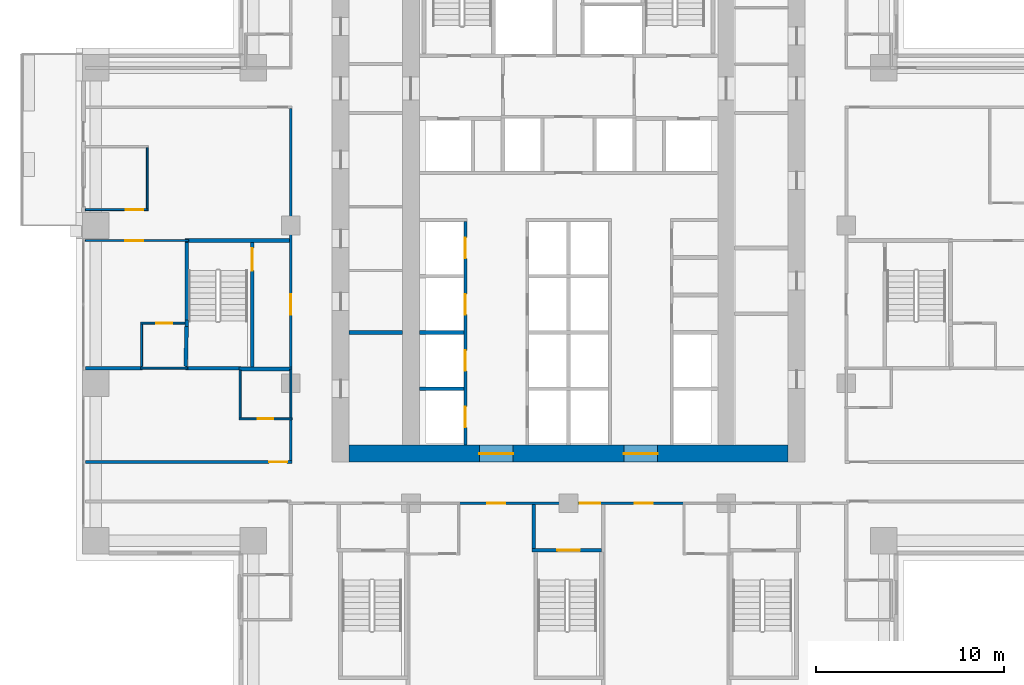
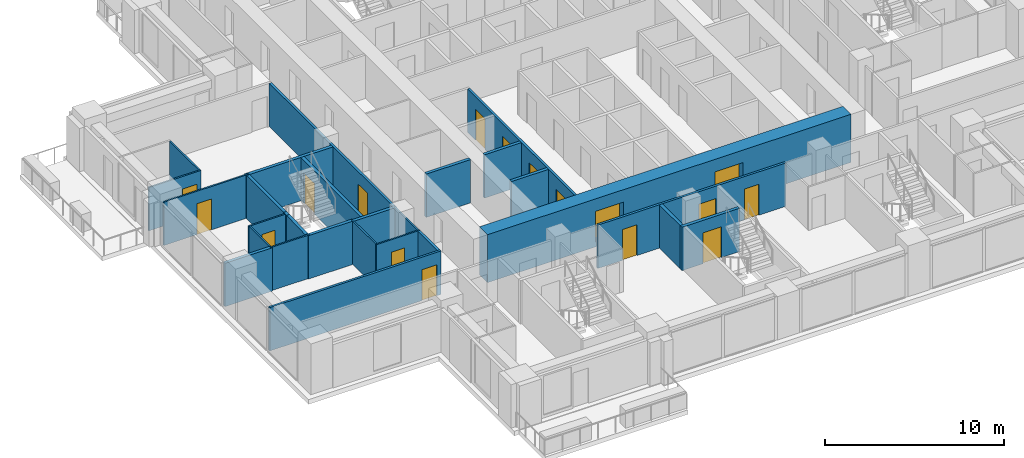
# One storey, part 7 of 16: 28 walls, 17 doors, 17 openings.
"""IFC4 building model written with IfcOpenShell, lengths in metres."""

import ifcopenshell
import ifcopenshell.guid

model = None  # the IFC model being written
_history = None  # IfcOwnerHistory: only IFC2X3 demands one
_inside = {}  # id of a spatial element -> (the spatial element, [elements in it])
_under = {}  # id of a project, library or spatial element -> (it, [spatial elements below it])
_declared = {}  # id of a project -> (the project, [libraries it declares])
_typed = {}  # id of a type object -> (the type object, [elements of that type])
_made_of = {}  # id of a material, layer set ... -> (it, [elements and type objects made of it])


def new_model(schema):
    """Start an empty IFC model of exactly this schema.

    Asked for "IFC4X3", IfcOpenShell would pick the latest addendum, in which some entities
    have other attributes; the version numbers below select the first issue.
    IFC2X3 requires an IfcOwnerHistory on every rooted entity: one is made here for all.
    """
    global model, _history
    if schema == "IFC4X3":
        model = ifcopenshell.file(schema_version=(4, 3, 0, 0))
    else:
        model = ifcopenshell.file(schema=schema)
    _inside.clear()
    _under.clear()
    _declared.clear()
    _typed.clear()
    _made_of.clear()
    _history = None
    if model.schema == "IFC2X3":
        org = make("IfcOrganization", Name="unknown")
        user = make(
            "IfcPersonAndOrganization",
            ThePerson=make("IfcPerson", FamilyName="unknown"),
            TheOrganization=org,
        )
        app = make(
            "IfcApplication",
            ApplicationDeveloper=org,
            Version="unknown",
            ApplicationFullName="unknown",
            ApplicationIdentifier="unknown",
        )
        _history = make(
            "IfcOwnerHistory",
            OwningUser=user,
            OwningApplication=app,
            ChangeAction="ADDED",
            CreationDate=0,
        )
    return model


def make(cls, **values):
    """One entity of the class cls with the attributes given. An attribute that is None is left unset."""
    return model.create_entity(
        cls, **{name: value for name, value in values.items() if value is not None}
    )


def rooted(cls, **values):
    """An entity with a GlobalId (a new one), such as an element, a storey or a relation."""
    return make(cls, GlobalId=ifcopenshell.guid.new(), OwnerHistory=_history, **values)


def si_unit(unit_type, name, prefix=None):
    """IfcSIUnit, for example si_unit("LENGTHUNIT", "METRE", prefix="MILLI")."""
    return make("IfcSIUnit", UnitType=unit_type, Prefix=prefix, Name=name)


def assignment(units):
    """IfcUnitAssignment: the units of a project."""
    return None if units is None else make("IfcUnitAssignment", Units=units)


def point(xyz):
    """IfcCartesianPoint."""
    return None if xyz is None else make("IfcCartesianPoint", Coordinates=xyz)


def direction(xyz):
    """IfcDirection."""
    return None if xyz is None else make("IfcDirection", DirectionRatios=xyz)


def frame(location, z_axis=None, x_axis=None):
    """IfcAxis2Placement3D, a coordinate frame: its origin and axes. An axis left out is left unset."""
    return make(
        "IfcAxis2Placement3D",
        Location=point(location),
        Axis=direction(z_axis),
        RefDirection=direction(x_axis),
    )


def frame_2d(location, x_axis=None):
    """IfcAxis2Placement2D, a coordinate frame in the plane: its origin and x axis."""
    return make(
        "IfcAxis2Placement2D", Location=point(location), RefDirection=direction(x_axis)
    )


def origin():
    """The frame at (0, 0, 0) with its axes left unset."""
    return frame((0.0, 0.0, 0.0))


def place(relative_to, where):
    """IfcLocalPlacement: puts the frame where relative to a parent placement (None: the world)."""
    return make(
        "IfcLocalPlacement", PlacementRelTo=relative_to, RelativePlacement=where
    )


def context(
    kind, dimensions, precision=None, world=None, true_north=None, identifier=None
):
    """IfcGeometricRepresentationContext, for example the 3D "Model" context."""
    return make(
        "IfcGeometricRepresentationContext",
        ContextIdentifier=identifier,
        ContextType=kind,
        CoordinateSpaceDimension=dimensions,
        Precision=precision,
        WorldCoordinateSystem=world,
        TrueNorth=true_north,
    )


def subcontext(parent, identifier, kind, view, scale=None):
    """IfcGeometricRepresentationSubContext, for example "Body" below "Model"."""
    return make(
        "IfcGeometricRepresentationSubContext",
        ContextIdentifier=identifier,
        ContextType=kind,
        ParentContext=parent,
        TargetScale=scale,
        TargetView=view,
    )


def project(units=None, contexts=None):
    """IfcProject with its units and contexts."""
    return rooted(
        "IfcProject",
        Name="project",
        RepresentationContexts=contexts,
        UnitsInContext=assignment(units),
    )


def spatial(cls, under=None, at=None, **own):
    """A site, building, storey or space (cls), placed at a placement, below another one or the project."""
    s = rooted(cls, ObjectPlacement=at, **own)
    if under is not None:
        _under.setdefault(under.id(), (under, []))[1].append(s)
    return s


def profile(cls, at=None, kind="AREA", **sizes):
    """A parametric profile (cls). Its sizes go by their IFC names, for example OverallWidth=200.0."""
    return make(cls, ProfileType=kind, Position=at, **sizes)


def rectangle(**sizes):
    """IfcRectangleProfileDef."""
    return profile("IfcRectangleProfileDef", **sizes)


def extrude(swept, where, along, depth):
    """IfcExtrudedAreaSolid: the profile swept, set in the frame where, extruded along a direction by depth."""
    return make(
        "IfcExtrudedAreaSolid",
        SweptArea=swept,
        Position=where,
        ExtrudedDirection=direction(along),
        Depth=depth,
    )


def shape(context_of_items, identifier, shape_type, items):
    """IfcShapeRepresentation: the items that make up one representation, for example the "Body"."""
    return make(
        "IfcShapeRepresentation",
        ContextOfItems=context_of_items,
        RepresentationIdentifier=identifier,
        RepresentationType=shape_type,
        Items=items,
    )


def material(Name=None, Category=None):
    """IfcMaterial."""
    return make("IfcMaterial", Name=Name, Category=Category)


def layer(
    of_material, thickness, ventilated=None, Name=None, Category=None, Priority=None
):
    """IfcMaterialLayer: one layer of a wall or slab, of a material (None: an air gap)."""
    return make(
        "IfcMaterialLayer",
        Material=of_material,
        LayerThickness=thickness,
        IsVentilated=ventilated,
        Name=Name,
        Category=Category,
        Priority=Priority,
    )


def layer_set(layers, Name=None):
    """IfcMaterialLayerSet."""
    return make("IfcMaterialLayerSet", MaterialLayers=layers, LayerSetName=Name)


def made_of(thing, what):
    """Note that an element or type object is made of a material, layer set ...; save() writes the relation."""
    if what is not None:
        _made_of.setdefault(what.id(), (what, []))[1].append(thing)
    return thing


def type_object(cls, material=None, **own):
    """A type object (cls), such as IfcWallType, which elements share."""
    return made_of(rooted(cls, **own), material)


def element(
    cls,
    number,
    at=None,
    inside=None,
    cuts=None,
    type_object=None,
    material=None,
    context=None,
    identifier="Body",
    shape_type=None,
    held_by="IfcProductDefinitionShape",
    body=None,
    shapes=None,
    **own,
):
    """One element of the class cls, such as IfcWall. Its Tag is "e" and its number.

    at: its placement. inside: the storey or other place that contains it. cuts: it is an
    opening in that element (IfcRelVoidsElement). A single representation is given by context,
    identifier, shape_type and body (its items); several are given by shapes. held_by: the class
    of the entity that holds the representations. save() writes the other relations.
    """
    e = rooted(cls, Tag="e%d" % number, ObjectPlacement=at, **own)
    if body is not None:
        shapes = [shape(context, identifier, shape_type, body)]
    if shapes is not None:
        e.Representation = make(held_by, Representations=shapes)
    if inside is not None:
        _inside.setdefault(inside.id(), (inside, []))[1].append(e)
    if cuts is not None:
        rooted(
            "IfcRelVoidsElement", RelatingBuildingElement=cuts, RelatedOpeningElement=e
        )
    if type_object is not None:
        _typed.setdefault(type_object.id(), (type_object, []))[1].append(e)
    return made_of(e, material)


def fill(opening, filler):
    """IfcRelFillsElement: the door or window that sits in an opening."""
    return rooted(
        "IfcRelFillsElement",
        RelatingOpeningElement=opening,
        RelatedBuildingElement=filler,
    )


def aggregate(whole, parts):
    """IfcRelAggregates: a whole, such as a stair, and the parts it consists of."""
    return rooted("IfcRelAggregates", RelatingObject=whole, RelatedObjects=parts)


def save(model, path):
    """Write the relations noted so far, then the file.

    IfcRelAggregates (storeys below a building ...), IfcRelContainedInSpatialStructure (elements
    in a storey), IfcRelDefinesByType, IfcRelAssociatesMaterial and IfcRelDeclares: one each for
    every whole, place, type object, material and project.
    """
    for whole, parts in _under.values():
        aggregate(whole, parts)
    for where, things in _inside.values():
        rooted(
            "IfcRelContainedInSpatialStructure",
            RelatedElements=things,
            RelatingStructure=where,
        )
    for kind, things in _typed.values():
        rooted("IfcRelDefinesByType", RelatedObjects=things, RelatingType=kind)
    for what, things in _made_of.values():
        rooted("IfcRelAssociatesMaterial", RelatedObjects=things, RelatingMaterial=what)
    for by, libraries in _declared.values():
        rooted("IfcRelDeclares", RelatingContext=by, RelatedDefinitions=libraries)
    model.write(path)


model = new_model("IFC4")

# Units and contexts
model_context = context("Model", 3, precision=1e-05, world=origin(), true_north=direction((0.0, 1.0)))
body_context = subcontext(model_context, "Body", "Model", "MODEL_VIEW")
ifc_project = project(units=[si_unit("LENGTHUNIT", "METRE"), si_unit("AREAUNIT", "SQUARE_METRE"), si_unit("VOLUMEUNIT", "CUBIC_METRE"), si_unit("PLANEANGLEUNIT", "RADIAN"), si_unit("MASSUNIT", "GRAM", prefix="KILO")], contexts=[model_context])

# Site, building, storey
site_placement = place(None, origin())
site = spatial("IfcSite", under=ifc_project, at=site_placement, CompositionType="ELEMENT")
building_placement = place(site_placement, origin())
building = spatial("IfcBuilding", under=site, at=building_placement, Name="Vermilion Ogive Tower", CompositionType="ELEMENT")
storey_placement = place(building_placement, frame((0.0, 0.0, 72.449951171875)))
storey = spatial("IfcBuildingStorey", under=building, at=storey_placement, Name="L17", CompositionType="ELEMENT", Elevation=72.449951171875)

# Wall, openings, doors
ifc_material_1 = material(Name="Concrete B80", Category="concrete")
ifc_layer_1 = layer(ifc_material_1, 0.89990234375)
ifc_layer_set_1 = layer_set([ifc_layer_1], Name="Core wall 900 B80")
wall_type_1 = type_object("IfcWallType", Name="Core wall 900 B80", PredefinedType="SHEAR", material=ifc_layer_set_1)
wall_1_placement = place(storey_placement, frame((-11.699951171875, -7.949951171875, -0.320068359375), z_axis=(0.0, 0.0, 1.0), x_axis=(1.0, 0.0, 0.0)))
wall_1 = element("IfcWall", 1, at=wall_1_placement, inside=storey, type_object=wall_type_1, Name="L17-CORE-S", PredefinedType="SHEAR", context=body_context, shape_type="SweptSolid", body=[
    extrude(rectangle(XDim=23.39990234375, YDim=0.89990234375, at=frame_2d((11.699951171875, 0.0))), origin(), (0.0, 0.0, 1.0), 3.27001953125),
])
opening_1_placement = place(wall_1_placement, frame((6.949951171875, 0.0, 0.320068359375)))
opening_1 = element("IfcOpeningElement", 2, at=opening_1_placement, cuts=wall_1, Name="Opening DAH011", PredefinedType="OPENING", context=body_context, shape_type="SweptSolid", body=[
    extrude(rectangle(XDim=1.800048828125, YDim=2.10009765625, at=frame_2d((0.89990234375, 1.050048828125))), frame((0.0, 0.4599609375, 0.0), z_axis=(0.0, -1.0, 0.0), x_axis=(1.0, 0.0, 0.0)), (0.0, 0.0, 1.0), 0.919921875),
])
opening_2_placement = place(wall_1_placement, frame((14.64990234375, 0.0, 0.320068359375)))
opening_2 = element("IfcOpeningElement", 3, at=opening_2_placement, cuts=wall_1, Name="Opening DAH012", PredefinedType="OPENING", context=body_context, shape_type="SweptSolid", body=[
    extrude(rectangle(XDim=1.800048828125, YDim=2.10009765625, at=frame_2d((0.89990234375, 1.050048828125))), frame((0.0, 0.4599609375, 0.0), z_axis=(0.0, -1.0, 0.0), x_axis=(1.0, 0.0, 0.0)), (0.0, 0.0, 1.0), 0.919921875),
])
ifc_material_2 = material(Name="Timber door leaf", Category="wood")
door_type_1 = type_object("IfcDoorType", Name="Core entry door 1800 x 2100 FD60S", OperationType="DOUBLE_DOOR_SINGLE_SWING", PredefinedType="DOOR", material=ifc_material_2)
door_1_placement = place(opening_1_placement, origin())
door_1 = element("IfcDoor", 4, at=door_1_placement, inside=storey, type_object=door_type_1, Name="L17-CK-XD1", OperationType="SINGLE_SWING_LEFT", OverallHeight=2.10009765625, OverallWidth=1.800048828125, PredefinedType="DOOR", context=body_context, shape_type="SweptSolid", body=[
    extrude(rectangle(XDim=1.800048828125, YDim=2.10009765625, at=frame_2d((0.89990234375, 1.050048828125))), frame((0.0, 0.02490234375, 0.0), z_axis=(0.0, -1.0, 0.0), x_axis=(1.0, 0.0, 0.0)), (0.0, 0.0, 1.0), 0.050048828125),
])
fill(opening_1, door_1)
door_2_placement = place(opening_2_placement, origin())
door_2 = element("IfcDoor", 5, at=door_2_placement, inside=storey, type_object=door_type_1, Name="L17-CK-XD2", OperationType="SINGLE_SWING_LEFT", OverallHeight=2.10009765625, OverallWidth=1.800048828125, PredefinedType="DOOR", context=body_context, shape_type="SweptSolid", body=[
    extrude(rectangle(XDim=1.800048828125, YDim=2.10009765625, at=frame_2d((0.89990234375, 1.050048828125))), frame((0.0, 0.02490234375, 0.0), z_axis=(0.0, -1.0, 0.0), x_axis=(1.0, 0.0, 0.0)), (0.0, 0.0, 1.0), 0.050048828125),
])
fill(opening_2, door_2)

# Wall, opening, door
ifc_material_3 = material(Name="Gypsum board partition on steel studs", Category="steel")
ifc_layer_2 = layer(ifc_material_3, 0.10009765625)
ifc_layer_set_2 = layer_set([ifc_layer_2], Name="Partition 100 bath")
wall_type_2 = type_object("IfcWallType", Name="Partition 100 bath", PredefinedType="PARTITIONING", material=ifc_layer_set_2)
wall_2_placement = place(storey_placement, frame((-17.550048828125, -6.10009765625, 0.0), z_axis=(0.0, 0.0, 1.0), x_axis=(1.0, 0.0, 0.0)))
wall_2 = element("IfcWall", 6, at=wall_2_placement, inside=storey, type_object=wall_type_2, Name="L17-W-W023", PredefinedType="PARTITIONING", context=body_context, shape_type="SweptSolid", body=[
    extrude(rectangle(XDim=2.824951171875, YDim=0.10009765625, at=frame_2d((1.41259765625, 0.0))), origin(), (0.0, 0.0, 1.0), 2.949951171875),
])
opening_3_placement = place(wall_2_placement, frame((0.97509765625, 0.0, 0.0)))
opening_3 = element("IfcOpeningElement", 7, at=opening_3_placement, cuts=wall_2, Name="Opening D1G6004", PredefinedType="OPENING", context=body_context, shape_type="SweptSolid", body=[
    extrude(rectangle(XDim=0.85009765625, YDim=2.10009765625, at=frame_2d((0.425048828125, 1.050048828125))), frame((0.0, 0.06005859375, 0.0), z_axis=(0.0, -1.0, 0.0), x_axis=(1.0, 0.0, 0.0)), (0.0, 0.0, 1.0), 0.1201171875),
])
ifc_material_4 = material(Name="Timber door leaf", Category="wood")
door_type_2 = type_object("IfcDoorType", Name="Bath door 850 x 2100 FD30", OperationType="SINGLE_SWING_LEFT", PredefinedType="DOOR", material=ifc_material_4)
door_3_placement = place(opening_3_placement, origin())
door_3 = element("IfcDoor", 8, at=door_3_placement, inside=storey, type_object=door_type_2, Name="L17-D-D004", OperationType="SINGLE_SWING_LEFT", OverallHeight=2.10009765625, OverallWidth=0.85009765625, PredefinedType="DOOR", context=body_context, shape_type="SweptSolid", body=[
    extrude(rectangle(XDim=0.85009765625, YDim=2.10009765625, at=frame_2d((0.425048828125, 1.050048828125))), frame((0.0, 0.02490234375, 0.0), z_axis=(0.0, -1.0, 0.0), x_axis=(1.0, 0.0, 0.0)), (0.0, 0.0, 1.0), 0.050048828125),
])
fill(opening_3, door_3)

# Wall
wall_3_placement = place(storey_placement, frame((-22.800048828125, -3.39990234375, 0.0), z_axis=(0.0, 0.0, 1.0), x_axis=(1.0, 0.0, 0.0)))
element("IfcWall", 9, at=wall_3_placement, inside=storey, type_object=wall_type_2, Name="L17-W-W026", PredefinedType="PARTITIONING", context=body_context, shape_type="SweptSolid", body=[
    extrude(rectangle(XDim=2.5, YDim=0.10009765625, at=frame_2d((1.25, 0.0))), origin(), (0.0, 0.0, 1.0), 2.949951171875),
])

# Wall, opening, door
wall_4_placement = place(storey_placement, frame((-22.800048828125, -1.0, 0.0), z_axis=(0.0, 0.0, 1.0), x_axis=(1.0, 0.0, 0.0)))
wall_4 = element("IfcWall", 10, at=wall_4_placement, inside=storey, type_object=wall_type_2, Name="L17-W-W033", PredefinedType="PARTITIONING", context=body_context, shape_type="SweptSolid", body=[
    extrude(rectangle(XDim=2.35009765625, YDim=0.10009765625, at=frame_2d((1.175048828125, 0.0))), origin(), (0.0, 0.0, 1.0), 2.949951171875),
])
opening_4_placement = place(wall_4_placement, frame((0.824951171875, 0.0, 0.0)))
opening_4 = element("IfcOpeningElement", 11, at=opening_4_placement, cuts=wall_4, Name="Opening D1G6008", PredefinedType="OPENING", context=body_context, shape_type="SweptSolid", body=[
    extrude(rectangle(XDim=0.85009765625, YDim=2.10009765625, at=frame_2d((0.425048828125, 1.050048828125))), frame((0.0, 0.06005859375, 0.0), z_axis=(0.0, -1.0, 0.0), x_axis=(1.0, 0.0, 0.0)), (0.0, 0.0, 1.0), 0.1201171875),
])
door_4_placement = place(opening_4_placement, origin())
door_4 = element("IfcDoor", 12, at=door_4_placement, inside=storey, type_object=door_type_2, Name="L17-D-D008", OperationType="SINGLE_SWING_RIGHT", OverallHeight=2.10009765625, OverallWidth=0.85009765625, PredefinedType="DOOR", context=body_context, shape_type="SweptSolid", body=[
    extrude(rectangle(XDim=0.85009765625, YDim=2.10009765625, at=frame_2d((0.425048828125, 1.050048828125))), frame((0.0, 0.02490234375, 0.0), z_axis=(0.0, -1.0, 0.0), x_axis=(1.0, 0.0, 0.0)), (0.0, 0.0, 1.0), 0.050048828125),
])
fill(opening_4, door_4)

# Walls
wall_5_placement = place(storey_placement, frame((-22.75, -3.300048828125, 0.0), z_axis=(0.0, 0.0, 1.0), x_axis=(0.0, 1.0, 0.0)))
element("IfcWall", 13, at=wall_5_placement, inside=storey, type_object=wall_type_2, Name="L17-W-W050", PredefinedType="PARTITIONING", context=body_context, shape_type="SweptSolid", body=[
    extrude(rectangle(XDim=2.25, YDim=0.10009765625, at=frame_2d((1.125, 0.0))), origin(), (0.0, 0.0, 1.0), 2.949951171875),
])
wall_6_placement = place(storey_placement, frame((-17.5, -6.050048828125, 0.0), z_axis=(0.0, 0.0, 1.0), x_axis=(0.0, 1.0, 0.0)))
element("IfcWall", 14, at=wall_6_placement, inside=storey, type_object=wall_type_2, Name="L17-W-W055", PredefinedType="PARTITIONING", context=body_context, shape_type="SweptSolid", body=[
    extrude(rectangle(XDim=2.550048828125, YDim=0.10009765625, at=frame_2d((1.27490234375, 0.0))), origin(), (0.0, 0.0, 1.0), 2.949951171875),
])
wall_7_placement = place(storey_placement, frame((-14.800048828125, -6.050048828125, 0.0), z_axis=(0.0, 0.0, 1.0), x_axis=(0.0, 1.0, 0.0)))
element("IfcWall", 15, at=wall_7_placement, inside=storey, type_object=wall_type_2, Name="L17-W-W061", PredefinedType="PARTITIONING", context=body_context, shape_type="SweptSolid", body=[
    extrude(rectangle(XDim=2.60009765625, YDim=0.10009765625, at=frame_2d((1.300048828125, 0.0))), origin(), (0.0, 0.0, 1.0), 2.949951171875),
])

# Wall, opening, door
ifc_material_5 = material(Name="Gypsum board partition on steel studs", Category="steel")
ifc_layer_3 = layer(ifc_material_5, 0.10009765625)
ifc_layer_set_3 = layer_set([ifc_layer_3], Name="Partition 100 inner")
wall_type_3 = type_object("IfcWallType", Name="Partition 100 inner", PredefinedType="PARTITIONING", material=ifc_layer_set_3)
wall_8_placement = place(storey_placement, frame((-25.75, 3.39990234375, 0.0), z_axis=(0.0, 0.0, 1.0), x_axis=(1.0, 0.0, 0.0)))
wall_8 = element("IfcWall", 16, at=wall_8_placement, inside=storey, type_object=wall_type_3, Name="L17-W-W035", PredefinedType="PARTITIONING", context=body_context, shape_type="SweptSolid", body=[
    extrude(rectangle(XDim=5.5, YDim=0.10009765625, at=frame_2d((2.75, 0.0))), origin(), (0.0, 0.0, 1.0), 2.949951171875),
])
opening_5_placement = place(wall_8_placement, frame((2.125, 0.0, 0.0)))
opening_5 = element("IfcOpeningElement", 17, at=opening_5_placement, cuts=wall_8, Name="Opening D1G6007", PredefinedType="OPENING", context=body_context, shape_type="SweptSolid", body=[
    extrude(rectangle(XDim=0.949951171875, YDim=2.10009765625, at=frame_2d((0.47509765625, 1.050048828125))), frame((0.0, 0.06005859375, 0.0), z_axis=(0.0, -1.0, 0.0), x_axis=(1.0, 0.0, 0.0)), (0.0, 0.0, 1.0), 0.1201171875),
])
ifc_material_6 = material(Name="Timber door leaf", Category="wood")
door_type_3 = type_object("IfcDoorType", Name="Inner door 950 x 2100 FD30", OperationType="SINGLE_SWING_LEFT", PredefinedType="DOOR", material=ifc_material_6)
door_5_placement = place(opening_5_placement, origin())
door_5 = element("IfcDoor", 18, at=door_5_placement, inside=storey, type_object=door_type_3, Name="L17-D-D007", OperationType="SINGLE_SWING_LEFT", OverallHeight=2.10009765625, OverallWidth=0.949951171875, PredefinedType="DOOR", context=body_context, shape_type="SweptSolid", body=[
    extrude(rectangle(XDim=0.949951171875, YDim=2.10009765625, at=frame_2d((0.47509765625, 1.050048828125))), frame((0.0, 0.02490234375, 0.0), z_axis=(0.0, -1.0, 0.0), x_axis=(1.0, 0.0, 0.0)), (0.0, 0.0, 1.0), 0.050048828125),
])
fill(opening_5, door_5)

wall_9_placement = place(storey_placement, frame((-25.75, 5.0498046875, 0.0), z_axis=(0.0, 0.0, 1.0), x_axis=(1.0, 0.0, 0.0)))
wall_9 = element("IfcWall", 19, at=wall_9_placement, inside=storey, type_object=wall_type_3, Name="L17-W-W039", PredefinedType="PARTITIONING", context=body_context, shape_type="SweptSolid", body=[
    extrude(rectangle(XDim=3.35009765625, YDim=0.10009765625, at=frame_2d((1.675048828125, 0.0))), origin(), (0.0, 0.0, 1.0), 2.949951171875),
])
opening_6_placement = place(wall_9_placement, frame((2.14990234375, 0.0, 0.0)))
opening_6 = element("IfcOpeningElement", 20, at=opening_6_placement, cuts=wall_9, Name="Opening D1G6005", PredefinedType="OPENING", context=body_context, shape_type="SweptSolid", body=[
    extrude(rectangle(XDim=0.949951171875, YDim=2.10009765625, at=frame_2d((0.47509765625, 1.050048828125))), frame((0.0, 0.06005859375, 0.0), z_axis=(0.0, -1.0, 0.0), x_axis=(1.0, 0.0, 0.0)), (0.0, 0.0, 1.0), 0.1201171875),
])
door_6_placement = place(opening_6_placement, origin())
door_6 = element("IfcDoor", 21, at=door_6_placement, inside=storey, type_object=door_type_3, Name="L17-D-D005", OperationType="SINGLE_SWING_RIGHT", OverallHeight=2.10009765625, OverallWidth=0.949951171875, PredefinedType="DOOR", context=body_context, shape_type="SweptSolid", body=[
    extrude(rectangle(XDim=0.949951171875, YDim=2.10009765625, at=frame_2d((0.47509765625, 1.050048828125))), frame((0.0, 0.02490234375, 0.0), z_axis=(0.0, -1.0, 0.0), x_axis=(1.0, 0.0, 0.0)), (0.0, 0.0, 1.0), 0.050048828125),
])
fill(opening_6, door_6)

# Wall
wall_10_placement = place(storey_placement, frame((-22.449951171875, 5.099853515625, 0.0), z_axis=(0.0, 0.0, 1.0), x_axis=(0.0, 1.0, 0.0)))
element("IfcWall", 22, at=wall_10_placement, inside=storey, type_object=wall_type_3, Name="L17-W-W051", PredefinedType="PARTITIONING", context=body_context, shape_type="SweptSolid", body=[
    extrude(rectangle(XDim=3.250244140625, YDim=0.10009765625, at=frame_2d((1.625, 0.0))), origin(), (0.0, 0.0, 1.0), 2.949951171875),
])

# Wall, openings, doors
ifc_material_7 = material(Name="Gypsum board partition on steel studs", Category="steel")
ifc_layer_4 = layer(ifc_material_7, 0.14990234375)
ifc_layer_set_4 = layer_set([ifc_layer_4], Name="Partition 150 corridor")
wall_type_4 = type_object("IfcWallType", Name="Partition 150 corridor", PredefinedType="PARTITIONING", material=ifc_layer_set_4)
wall_11_placement = place(storey_placement, frame((-5.89990234375, -10.60009765625, 0.0), z_axis=(0.0, 0.0, 1.0), x_axis=(1.0, 0.0, 0.0)))
wall_11 = element("IfcWall", 23, at=wall_11_placement, inside=storey, type_object=wall_type_4, Name="L17-W-W016", PredefinedType="PARTITIONING", context=body_context, shape_type="SweptSolid", body=[
    extrude(rectangle(XDim=12.099853515625, YDim=0.14990234375, at=frame_2d((6.0498046875, 0.0))), origin(), (0.0, 0.0, 1.0), 2.949951171875),
])
opening_7_placement = place(wall_11_placement, frame((1.574951171875, 0.0, 0.0)))
opening_7 = element("IfcOpeningElement", 24, at=opening_7_placement, cuts=wall_11, Name="Opening D1G6011", PredefinedType="OPENING", context=body_context, shape_type="SweptSolid", body=[
    extrude(rectangle(XDim=0.949951171875, YDim=2.10009765625, at=frame_2d((0.47509765625, 1.050048828125))), frame((0.0, 0.0849609375, 0.0), z_axis=(0.0, -1.0, 0.0), x_axis=(1.0, 0.0, 0.0)), (0.0, 0.0, 1.0), 0.169921875),
])
opening_8_placement = place(wall_11_placement, frame((9.4248046875, 0.0, 0.0)))
opening_8 = element("IfcOpeningElement", 25, at=opening_8_placement, cuts=wall_11, Name="Opening D1G6013", PredefinedType="OPENING", context=body_context, shape_type="SweptSolid", body=[
    extrude(rectangle(XDim=0.949951171875, YDim=2.10009765625, at=frame_2d((0.47509765625, 1.050048828125))), frame((0.0, 0.0849609375, 0.0), z_axis=(0.0, -1.0, 0.0), x_axis=(1.0, 0.0, 0.0)), (0.0, 0.0, 1.0), 0.169921875),
])
opening_9_placement = place(wall_11_placement, frame((6.5, 0.0, 0.0)))
opening_9 = element("IfcOpeningElement", 26, at=opening_9_placement, cuts=wall_11, Name="Opening D1G6027", PredefinedType="OPENING", context=body_context, shape_type="SweptSolid", body=[
    extrude(rectangle(XDim=1.10009765625, YDim=2.10009765625, at=frame_2d((0.550048828125, 1.050048828125))), frame((0.0, 0.0849609375, 0.0), z_axis=(0.0, -1.0, 0.0), x_axis=(1.0, 0.0, 0.0)), (0.0, 0.0, 1.0), 0.169921875),
])
ifc_material_8 = material(Name="Timber door leaf", Category="wood")
door_type_4 = type_object("IfcDoorType", Name="Stair door 1100 x 2100 FD60S", OperationType="SINGLE_SWING_LEFT", PredefinedType="DOOR", material=ifc_material_8)
door_7_placement = place(opening_9_placement, origin())
door_7 = element("IfcDoor", 27, at=door_7_placement, inside=storey, type_object=door_type_4, Name="L17-D-D027", OperationType="SINGLE_SWING_LEFT", OverallHeight=2.10009765625, OverallWidth=1.10009765625, PredefinedType="DOOR", context=body_context, shape_type="SweptSolid", body=[
    extrude(rectangle(XDim=1.10009765625, YDim=2.10009765625, at=frame_2d((0.550048828125, 1.050048828125))), frame((0.0, 0.02490234375, 0.0), z_axis=(0.0, -1.0, 0.0), x_axis=(1.0, 0.0, 0.0)), (0.0, 0.0, 1.0), 0.050048828125),
])
fill(opening_9, door_7)
ifc_material_9 = material(Name="Timber door leaf", Category="wood")
door_type_5 = type_object("IfcDoorType", Name="Unit door 950 x 2100 FD30S", OperationType="SINGLE_SWING_LEFT", PredefinedType="DOOR", material=ifc_material_9)
door_8_placement = place(opening_7_placement, origin())
door_8 = element("IfcDoor", 28, at=door_8_placement, inside=storey, type_object=door_type_5, Name="L17-D-D011", OperationType="SINGLE_SWING_LEFT", OverallHeight=2.10009765625, OverallWidth=0.949951171875, PredefinedType="DOOR", context=body_context, shape_type="SweptSolid", body=[
    extrude(rectangle(XDim=0.949951171875, YDim=2.10009765625, at=frame_2d((0.47509765625, 1.050048828125))), frame((0.0, 0.02490234375, 0.0), z_axis=(0.0, -1.0, 0.0), x_axis=(1.0, 0.0, 0.0)), (0.0, 0.0, 1.0), 0.050048828125),
])
fill(opening_7, door_8)
door_9_placement = place(opening_8_placement, origin())
door_9 = element("IfcDoor", 29, at=door_9_placement, inside=storey, type_object=door_type_5, Name="L17-D-D013", OperationType="SINGLE_SWING_RIGHT", OverallHeight=2.10009765625, OverallWidth=0.949951171875, PredefinedType="DOOR", context=body_context, shape_type="SweptSolid", body=[
    extrude(rectangle(XDim=0.949951171875, YDim=2.10009765625, at=frame_2d((0.47509765625, 1.050048828125))), frame((0.0, 0.02490234375, 0.0), z_axis=(0.0, -1.0, 0.0), x_axis=(1.0, 0.0, 0.0)), (0.0, 0.0, 1.0), 0.050048828125),
])
fill(opening_8, door_9)

# Wall, opening, door
wall_12_placement = place(storey_placement, frame((-25.75, -8.39990234375, 0.0), z_axis=(0.0, 0.0, 1.0), x_axis=(1.0, 0.0, 0.0)))
wall_12 = element("IfcWall", 30, at=wall_12_placement, inside=storey, type_object=wall_type_4, Name="L17-W-W021", PredefinedType="PARTITIONING", context=body_context, shape_type="SweptSolid", body=[
    extrude(rectangle(XDim=11.02490234375, YDim=0.14990234375, at=frame_2d((5.512451171875, 0.0))), origin(), (0.0, 0.0, 1.0), 2.949951171875),
])
opening_10_placement = place(wall_12_placement, frame((9.800048828125, 0.0, 0.0)))
opening_10 = element("IfcOpeningElement", 31, at=opening_10_placement, cuts=wall_12, Name="Opening D1G6003", PredefinedType="OPENING", context=body_context, shape_type="SweptSolid", body=[
    extrude(rectangle(XDim=0.949951171875, YDim=2.10009765625, at=frame_2d((0.47509765625, 1.050048828125))), frame((0.0, 0.0849609375, 0.0), z_axis=(0.0, -1.0, 0.0), x_axis=(1.0, 0.0, 0.0)), (0.0, 0.0, 1.0), 0.169921875),
])
door_10_placement = place(opening_10_placement, origin())
door_10 = element("IfcDoor", 32, at=door_10_placement, inside=storey, type_object=door_type_5, Name="L17-D-D003", OperationType="SINGLE_SWING_LEFT", OverallHeight=2.10009765625, OverallWidth=0.949951171875, PredefinedType="DOOR", context=body_context, shape_type="SweptSolid", body=[
    extrude(rectangle(XDim=0.949951171875, YDim=2.10009765625, at=frame_2d((0.47509765625, 1.050048828125))), frame((0.0, 0.02490234375, 0.0), z_axis=(0.0, -1.0, 0.0), x_axis=(1.0, 0.0, 0.0)), (0.0, 0.0, 1.0), 0.050048828125),
])
fill(opening_10, door_10)

# Wall
wall_13_placement = place(storey_placement, frame((-14.800048828125, -8.324951171875, 0.0), z_axis=(0.0, 0.0, 1.0), x_axis=(0.0, 1.0, 0.0)))
element("IfcWall", 33, at=wall_13_placement, inside=storey, type_object=wall_type_4, Name="L17-W-W060", PredefinedType="PARTITIONING", context=body_context, shape_type="SweptSolid", body=[
    extrude(rectangle(XDim=2.175048828125, YDim=0.14990234375, at=frame_2d((1.08740234375, 0.0))), origin(), (0.0, 0.0, 1.0), 2.949951171875),
])

# Wall, opening, door
wall_14_placement = place(storey_placement, frame((-14.800048828125, -3.35009765625, 0.0), z_axis=(0.0, 0.0, 1.0), x_axis=(0.0, 1.0, 0.0)))
wall_14 = element("IfcWall", 34, at=wall_14_placement, inside=storey, type_object=wall_type_4, Name="L17-W-W062", PredefinedType="PARTITIONING", context=body_context, shape_type="SweptSolid", body=[
    extrude(rectangle(XDim=13.775146484375, YDim=0.14990234375, at=frame_2d((6.8876953125, 0.0))), origin(), (0.0, 0.0, 1.0), 2.949951171875),
])
opening_11_placement = place(wall_14_placement, frame((2.800048828125, 0.0, 0.0)))
opening_11 = element("IfcOpeningElement", 35, at=opening_11_placement, cuts=wall_14, Name="Opening D1G6033", PredefinedType="OPENING", context=body_context, shape_type="SweptSolid", body=[
    extrude(rectangle(XDim=1.10009765625, YDim=2.10009765625, at=frame_2d((0.550048828125, 1.050048828125))), frame((0.0, 0.0849609375, 0.0), z_axis=(0.0, -1.0, 0.0), x_axis=(1.0, 0.0, 0.0)), (0.0, 0.0, 1.0), 0.169921875),
])
door_11_placement = place(opening_11_placement, origin())
door_11 = element("IfcDoor", 36, at=door_11_placement, inside=storey, type_object=door_type_4, Name="L17-D-D033", OperationType="SINGLE_SWING_RIGHT", OverallHeight=2.10009765625, OverallWidth=1.10009765625, PredefinedType="DOOR", context=body_context, shape_type="SweptSolid", body=[
    extrude(rectangle(XDim=1.10009765625, YDim=2.10009765625, at=frame_2d((0.550048828125, 1.050048828125))), frame((0.0, 0.02490234375, 0.0), z_axis=(0.0, -1.0, 0.0), x_axis=(1.0, 0.0, 0.0)), (0.0, 0.0, 1.0), 0.050048828125),
])
fill(opening_11, door_11)

# Wall, openings, doors
wall_15_placement = place(storey_placement, frame((-5.5, -7.4990234375, 0.0), z_axis=(0.0, 0.0, 1.0), x_axis=(0.0, 1.0, 0.0)))
wall_15 = element("IfcWall", 37, at=wall_15_placement, inside=storey, type_object=wall_type_4, Name="L17-CK-W-W023", PredefinedType="PARTITIONING", context=body_context, shape_type="SweptSolid", body=[
    extrude(rectangle(XDim=11.924072265625, YDim=0.14990234375, at=frame_2d((5.9619140625, 0.0))), origin(), (0.0, 0.0, 1.0), 2.949951171875),
])
opening_12_placement = place(wall_15_placement, frame((0.948974609375, 0.0, 0.0)))
opening_12 = element("IfcOpeningElement", 38, at=opening_12_placement, cuts=wall_15, Name="Opening DAA126", PredefinedType="OPENING", context=body_context, shape_type="SweptSolid", body=[
    extrude(rectangle(XDim=1.10009765625, YDim=2.10009765625, at=frame_2d((0.550048828125, 1.050048828125))), frame((0.0, 0.0849609375, 0.0), z_axis=(0.0, -1.0, 0.0), x_axis=(1.0, 0.0, 0.0)), (0.0, 0.0, 1.0), 0.169921875),
])
opening_13_placement = place(wall_15_placement, frame((3.948974609375, 0.0, 0.0)))
opening_13 = element("IfcOpeningElement", 39, at=opening_13_placement, cuts=wall_15, Name="Opening DAA129", PredefinedType="OPENING", context=body_context, shape_type="SweptSolid", body=[
    extrude(rectangle(XDim=1.10009765625, YDim=2.10009765625, at=frame_2d((0.550048828125, 1.050048828125))), frame((0.0, 0.0849609375, 0.0), z_axis=(0.0, -1.0, 0.0), x_axis=(1.0, 0.0, 0.0)), (0.0, 0.0, 1.0), 0.169921875),
])
opening_14_placement = place(wall_15_placement, frame((6.948974609375, 0.0, 0.0)))
opening_14 = element("IfcOpeningElement", 40, at=opening_14_placement, cuts=wall_15, Name="Opening DAA130", PredefinedType="OPENING", context=body_context, shape_type="SweptSolid", body=[
    extrude(rectangle(XDim=1.10009765625, YDim=2.10009765625, at=frame_2d((0.550048828125, 1.050048828125))), frame((0.0, 0.0849609375, 0.0), z_axis=(0.0, -1.0, 0.0), x_axis=(1.0, 0.0, 0.0)), (0.0, 0.0, 1.0), 0.169921875),
])
opening_15_placement = place(wall_15_placement, frame((9.948974609375, 0.0, 0.0)))
opening_15 = element("IfcOpeningElement", 41, at=opening_15_placement, cuts=wall_15, Name="Opening DAA131", PredefinedType="OPENING", context=body_context, shape_type="SweptSolid", body=[
    extrude(rectangle(XDim=1.10009765625, YDim=2.10009765625, at=frame_2d((0.550048828125, 1.050048828125))), frame((0.0, 0.0849609375, 0.0), z_axis=(0.0, -1.0, 0.0), x_axis=(1.0, 0.0, 0.0)), (0.0, 0.0, 1.0), 0.169921875),
])
ifc_material_10 = material(Name="Stainless steel", Category="steel")
door_type_6 = type_object("IfcDoorType", Name="Lift landing door 1100 x 2100", OperationType="SLIDING_TO_LEFT", PredefinedType="DOOR", material=ifc_material_10)
door_12_placement = place(opening_12_placement, origin())
door_12 = element("IfcDoor", 42, at=door_12_placement, inside=storey, type_object=door_type_6, Name="L17-CK-D-D001", OperationType="SLIDING_TO_RIGHT", OverallHeight=2.10009765625, OverallWidth=1.10009765625, PredefinedType="DOOR", context=body_context, shape_type="SweptSolid", body=[
    extrude(rectangle(XDim=1.10009765625, YDim=2.10009765625, at=frame_2d((0.550048828125, 1.050048828125))), frame((0.0, 0.02490234375, 0.0), z_axis=(0.0, -1.0, 0.0), x_axis=(1.0, 0.0, 0.0)), (0.0, 0.0, 1.0), 0.050048828125),
])
fill(opening_12, door_12)
door_13_placement = place(opening_13_placement, origin())
door_13 = element("IfcDoor", 43, at=door_13_placement, inside=storey, type_object=door_type_6, Name="L17-CK-D-D002", OperationType="SLIDING_TO_RIGHT", OverallHeight=2.10009765625, OverallWidth=1.10009765625, PredefinedType="DOOR", context=body_context, shape_type="SweptSolid", body=[
    extrude(rectangle(XDim=1.10009765625, YDim=2.10009765625, at=frame_2d((0.550048828125, 1.050048828125))), frame((0.0, 0.02490234375, 0.0), z_axis=(0.0, -1.0, 0.0), x_axis=(1.0, 0.0, 0.0)), (0.0, 0.0, 1.0), 0.050048828125),
])
fill(opening_13, door_13)
door_14_placement = place(opening_14_placement, origin())
door_14 = element("IfcDoor", 44, at=door_14_placement, inside=storey, type_object=door_type_6, Name="L17-CK-D-D003", OperationType="SLIDING_TO_RIGHT", OverallHeight=2.10009765625, OverallWidth=1.10009765625, PredefinedType="DOOR", context=body_context, shape_type="SweptSolid", body=[
    extrude(rectangle(XDim=1.10009765625, YDim=2.10009765625, at=frame_2d((0.550048828125, 1.050048828125))), frame((0.0, 0.02490234375, 0.0), z_axis=(0.0, -1.0, 0.0), x_axis=(1.0, 0.0, 0.0)), (0.0, 0.0, 1.0), 0.050048828125),
])
fill(opening_14, door_14)
door_15_placement = place(opening_15_placement, origin())
door_15 = element("IfcDoor", 45, at=door_15_placement, inside=storey, type_object=door_type_6, Name="L17-CK-D-D004", OperationType="SLIDING_TO_RIGHT", OverallHeight=2.10009765625, OverallWidth=1.10009765625, PredefinedType="DOOR", context=body_context, shape_type="SweptSolid", body=[
    extrude(rectangle(XDim=1.10009765625, YDim=2.10009765625, at=frame_2d((0.550048828125, 1.050048828125))), frame((0.0, 0.02490234375, 0.0), z_axis=(0.0, -1.0, 0.0), x_axis=(1.0, 0.0, 0.0)), (0.0, 0.0, 1.0), 0.050048828125),
])
fill(opening_15, door_15)

# Walls
ifc_material_11 = material(Name="Gypsum board partition on steel studs", Category="steel")
ifc_layer_5 = layer(ifc_material_11, 0.199951171875)
ifc_layer_set_5 = layer_set([ifc_layer_5], Name="Partition 200 party")
wall_type_5 = type_object("IfcWallType", Name="Partition 200 party", PredefinedType="PARTITIONING", material=ifc_layer_set_5)
wall_16_placement = place(storey_placement, frame((-25.75, -3.39990234375, 0.0), z_axis=(0.0, 0.0, 1.0), x_axis=(1.0, 0.0, 0.0)))
element("IfcWall", 46, at=wall_16_placement, inside=storey, type_object=wall_type_5, Name="L17-W-W025", PredefinedType="PARTITIONING", context=body_context, shape_type="SweptSolid", body=[
    extrude(rectangle(XDim=3.050048828125, YDim=0.199951171875, at=frame_2d((1.52490234375, 0.0))), origin(), (0.0, 0.0, 1.0), 2.949951171875),
])
wall_17_placement = place(storey_placement, frame((-1.85009765625, -12.998046875, 0.0), z_axis=(0.0, 0.0, 1.0), x_axis=(0.0, 1.0, 0.0)))
element("IfcWall", 47, at=wall_17_placement, inside=storey, type_object=wall_type_5, Name="L17-W-W071", PredefinedType="PARTITIONING", context=body_context, shape_type="SweptSolid", body=[
    extrude(rectangle(XDim=2.322998046875, YDim=0.199951171875, at=frame_2d((1.16162109375, 0.0))), origin(), (0.0, 0.0, 1.0), 2.949951171875),
])
for number, where, z_axis, x_axis, name in (
    (48, (-7.948974609375, -4.5, 0.0), (0.0, 0.0, 1.0), (1.0, 0.0, 0.0), "L17-CK-W-W001"),
    (49, (-7.948974609375, -1.5, 0.0), (0.0, 0.0, 1.0), (1.0, 0.0, 0.0), "L17-CK-W-W004"),
):
    element("IfcWall", number, at=place(storey_placement, frame(where, z_axis=z_axis, x_axis=x_axis)), inside=storey, type_object=wall_type_5, Name=name, PredefinedType="PARTITIONING", context=body_context, shape_type="SweptSolid", body=[
        extrude(rectangle(XDim=2.3740234375, YDim=0.199951171875, at=frame_2d((1.18701171875, 0.0))), origin(), (0.0, 0.0, 1.0), 2.949951171875),
    ])
wall_18_placement = place(storey_placement, frame((-11.698974609375, -1.5, 0.0), z_axis=(0.0, 0.0, 1.0), x_axis=(1.0, 0.0, 0.0)))
element("IfcWall", 50, at=wall_18_placement, inside=storey, type_object=wall_type_5, Name="L17-CKW-W-W001", PredefinedType="PARTITIONING", context=body_context, shape_type="SweptSolid", body=[
    extrude(rectangle(XDim=2.847900390625, YDim=0.199951171875, at=frame_2d((1.423828125, 0.0))), origin(), (0.0, 0.0, 1.0), 2.949951171875),
])

# Wall, opening, door
ifc_material_12 = material(Name="Concrete B60", Category="concrete")
ifc_layer_6 = layer(ifc_material_12, 0.199951171875)
ifc_layer_set_6 = layer_set([ifc_layer_6], Name="Stair shaft wall 200 Concrete B60")
wall_type_6 = type_object("IfcWallType", Name="Stair shaft wall 200 Concrete B60", PredefinedType="SOLIDWALL", material=ifc_layer_set_6)
wall_19_placement = place(storey_placement, frame((-1.947998046875, -13.10009765625, 0.0), z_axis=(0.0, 0.0, 1.0), x_axis=(1.0, 0.0, 0.0)))
wall_19 = element("IfcWall", 51, at=wall_19_placement, inside=storey, type_object=wall_type_6, Name="L17-W-W012", PredefinedType="SOLIDWALL", context=body_context, shape_type="SweptSolid", body=[
    extrude(rectangle(XDim=3.696044921875, YDim=0.199951171875, at=frame_2d((1.84814453125, 0.0))), origin(), (0.0, 0.0, 1.0), 2.949951171875),
])
opening_16_placement = place(wall_19_placement, frame((1.347900390625, 0.0, 0.0)))
opening_16 = element("IfcOpeningElement", 52, at=opening_16_placement, cuts=wall_19, Name="Opening D1G6028", PredefinedType="OPENING", context=body_context, shape_type="SweptSolid", body=[
    extrude(rectangle(XDim=1.199951171875, YDim=2.10009765625, at=frame_2d((0.60009765625, 1.050048828125))), frame((0.0, 0.10986328125, 0.0), z_axis=(0.0, -1.0, 0.0), x_axis=(1.0, 0.0, 0.0)), (0.0, 0.0, 1.0), 0.219970703125),
])
ifc_material_13 = material(Name="Timber door leaf", Category="wood")
door_type_7 = type_object("IfcDoorType", Name="Stair door 1200 x 2100 FD60S", OperationType="SINGLE_SWING_LEFT", PredefinedType="DOOR", material=ifc_material_13)
door_16_placement = place(opening_16_placement, origin())
door_16 = element("IfcDoor", 53, at=door_16_placement, inside=storey, type_object=door_type_7, Name="L17-D-D028", OperationType="SINGLE_SWING_RIGHT", OverallHeight=2.10009765625, OverallWidth=1.199951171875, PredefinedType="DOOR", context=body_context, shape_type="SweptSolid", body=[
    extrude(rectangle(XDim=1.199951171875, YDim=2.10009765625, at=frame_2d((0.60009765625, 1.050048828125))), frame((0.0, 0.02490234375, 0.0), z_axis=(0.0, -1.0, 0.0), x_axis=(1.0, 0.0, 0.0)), (0.0, 0.0, 1.0), 0.050048828125),
])
fill(opening_16, door_16)

# Walls
wall_20_placement = place(storey_placement, frame((-20.39990234375, -3.39990234375, 0.0), z_axis=(0.0, 0.0, 1.0), x_axis=(1.0, 0.0, 0.0)))
element("IfcWall", 54, at=wall_20_placement, inside=storey, type_object=wall_type_6, Name="L17-W-W027", PredefinedType="SOLIDWALL", context=body_context, shape_type="SweptSolid", body=[
    extrude(rectangle(XDim=2.949951171875, YDim=0.199951171875, at=frame_2d((1.47509765625, 0.0))), origin(), (0.0, 0.0, 1.0), 2.949951171875),
])
wall_21_placement = place(storey_placement, frame((-17.550048828125, -3.449951171875, 0.0), z_axis=(0.0, 0.0, 1.0), x_axis=(1.0, 0.0, 0.0)))
element("IfcWall", 55, at=wall_21_placement, inside=storey, type_object=wall_type_6, Name="L17-W-W028", PredefinedType="SOLIDWALL", context=body_context, shape_type="SweptSolid", body=[
    extrude(rectangle(XDim=2.824951171875, YDim=0.199951171875, at=frame_2d((1.41259765625, 0.0))), origin(), (0.0, 0.0, 1.0), 2.949951171875),
])
wall_22_placement = place(storey_placement, frame((-20.449951171875, 3.39990234375, 0.0), z_axis=(0.0, 0.0, 1.0), x_axis=(1.0, 0.0, 0.0)))
element("IfcWall", 56, at=wall_22_placement, inside=storey, type_object=wall_type_6, Name="L17-W-W036", PredefinedType="SOLIDWALL", context=body_context, shape_type="SweptSolid", body=[
    extrude(rectangle(XDim=5.574951171875, YDim=0.199951171875, at=frame_2d((2.78759765625, 0.0))), origin(), (0.0, 0.0, 1.0), 2.949951171875),
])
wall_23_placement = place(storey_placement, frame((-20.400146484375, -3.300048828125, 0.0), z_axis=(0.0, 0.0, 1.0), x_axis=(0.022687568549, 0.99974260399, 0.0)))
element("IfcWall", 57, at=wall_23_placement, inside=storey, type_object=wall_type_6, Name="L17-W-W052", PredefinedType="SOLIDWALL", context=body_context, shape_type="SweptSolid", body=[
    extrude(rectangle(XDim=2.130615234375, YDim=0.199951171875, at=frame_2d((1.0654296875, 0.0))), origin(), (0.0, 0.0, 1.0), 2.949951171875),
])
wall_24_placement = place(storey_placement, frame((-20.35009765625, -0.830078125, 0.0), z_axis=(0.0, 0.0, 1.0), x_axis=(0.0, 1.0, 0.0)))
element("IfcWall", 58, at=wall_24_placement, inside=storey, type_object=wall_type_6, Name="L17-W-W053", PredefinedType="SOLIDWALL", context=body_context, shape_type="SweptSolid", body=[
    extrude(rectangle(XDim=4.130126953125, YDim=0.199951171875, at=frame_2d((2.06494140625, 0.0))), origin(), (0.0, 0.0, 1.0), 2.949951171875),
])

# Wall, opening, door
wall_25_placement = place(storey_placement, frame((-16.85009765625, -3.35009765625, 0.0), z_axis=(0.0, 0.0, 1.0), x_axis=(0.0, 1.0, 0.0)))
wall_25 = element("IfcWall", 59, at=wall_25_placement, inside=storey, type_object=wall_type_6, Name="L17-W-W057", PredefinedType="SOLIDWALL", context=body_context, shape_type="SweptSolid", body=[
    extrude(rectangle(XDim=6.650146484375, YDim=0.199951171875, at=frame_2d((3.3251953125, 0.0))), origin(), (0.0, 0.0, 1.0), 2.949951171875),
])
opening_17_placement = place(wall_25_placement, frame((5.14990234375, 0.0, 0.0)))
opening_17 = element("IfcOpeningElement", 60, at=opening_17_placement, cuts=wall_25, Name="Opening D1G6034", PredefinedType="OPENING", context=body_context, shape_type="SweptSolid", body=[
    extrude(rectangle(XDim=1.199951171875, YDim=2.10009765625, at=frame_2d((0.60009765625, 1.050048828125))), frame((0.0, 0.10986328125, 0.0), z_axis=(0.0, -1.0, 0.0), x_axis=(1.0, 0.0, 0.0)), (0.0, 0.0, 1.0), 0.219970703125),
])
door_17_placement = place(opening_17_placement, origin())
door_17 = element("IfcDoor", 61, at=door_17_placement, inside=storey, type_object=door_type_7, Name="L17-D-D034", OperationType="SINGLE_SWING_RIGHT", OverallHeight=2.10009765625, OverallWidth=1.199951171875, PredefinedType="DOOR", context=body_context, shape_type="SweptSolid", body=[
    extrude(rectangle(XDim=1.199951171875, YDim=2.10009765625, at=frame_2d((0.60009765625, 1.050048828125))), frame((0.0, 0.02490234375, 0.0), z_axis=(0.0, -1.0, 0.0), x_axis=(1.0, 0.0, 0.0)), (0.0, 0.0, 1.0), 0.050048828125),
])
fill(opening_17, door_17)

# Wall
wall_26_placement = place(storey_placement, frame((-20.35009765625, -1.169921875, 0.0), z_axis=(0.0, 0.0, 1.0), x_axis=(0.0, 1.0, 0.0)))
element("IfcWall", 62, at=wall_26_placement, inside=storey, type_object=wall_type_6, Name="L17-SW-ST9-W1", PredefinedType="SOLIDWALL", context=body_context, shape_type="SweptSolid", body=[
    extrude(rectangle(XDim=0.33984375, YDim=0.199951171875, at=frame_2d((0.169921875, 0.0))), origin(), (0.0, 0.0, 1.0), 2.949951171875),
])

save(model, "model.ifc")
